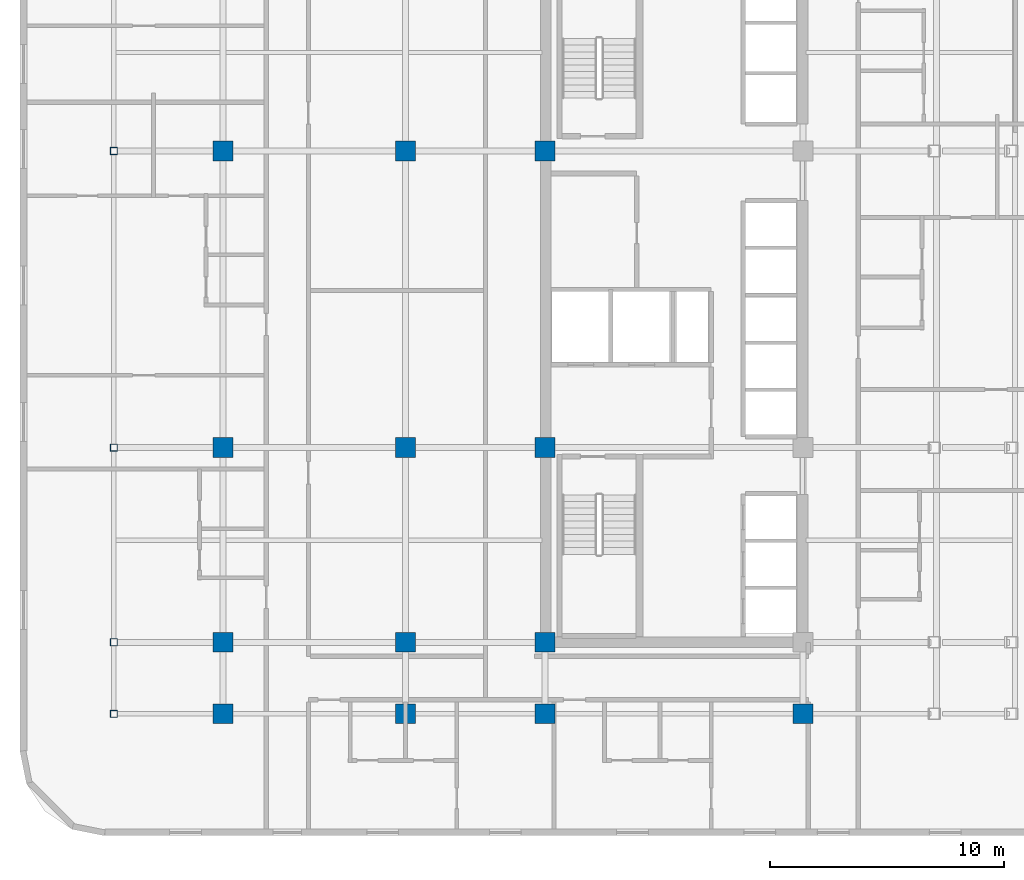
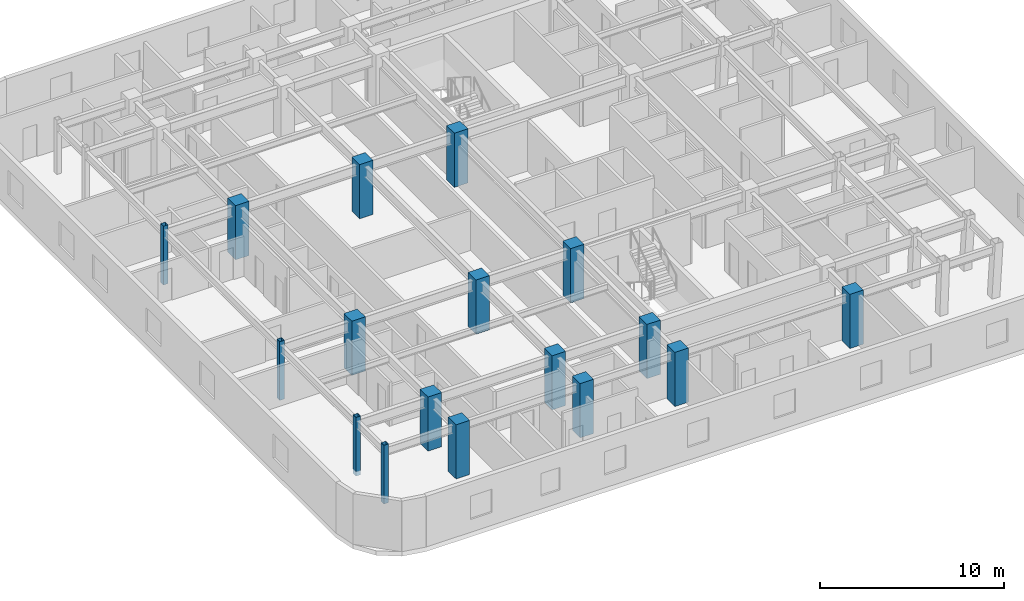
# One storey, part 1 of 12: 17 columns.
"""IFC4 building model written with IfcOpenShell, lengths in metres."""

from ifc_helpers import new_model, si_unit, direction, frame, origin, origin_2d, place, context, subcontext, project, spatial, rectangle, hollow_rectangle, extrude, material, material_profile, profile_set, type_object, element, save


model = new_model("IFC4")

# Units and contexts
model_context = context("Model", 3, precision=1e-05, world=origin(), true_north=direction((0.0, 1.0)))
body_context = subcontext(model_context, "Body", "Model", "MODEL_VIEW")
ifc_project = project(units=[si_unit("LENGTHUNIT", "METRE"), si_unit("AREAUNIT", "SQUARE_METRE"), si_unit("VOLUMEUNIT", "CUBIC_METRE"), si_unit("PLANEANGLEUNIT", "RADIAN"), si_unit("MASSUNIT", "GRAM", prefix="KILO")], contexts=[model_context])

# Site, building, storey
site_placement = place(None, origin())
site = spatial("IfcSite", under=ifc_project, at=site_placement, CompositionType="ELEMENT")
building_placement = place(site_placement, origin())
building = spatial("IfcBuilding", under=site, at=building_placement, Name="Ochreholt Gables", CompositionType="ELEMENT")
storey_placement = place(building_placement, frame((0.0, 0.0, 24.0)))
storey = spatial("IfcBuildingStorey", under=building, at=storey_placement, Name="L05", CompositionType="ELEMENT", Elevation=24.0)

# Columns
ifc_material_1 = material(Name="Steel CSA G40.21 350W", Category="steel")
ifc_material_profile_1 = material_profile(ifc_material_1, hollow_rectangle(XDim=0.304931640625, YDim=0.304931640625, WallThickness=0.0126953125, at=origin_2d()), Name="HSS305X305X13")
ifc_profile_set_1 = profile_set([ifc_material_profile_1], Name="Steel CSA G40.21 350W")
column_type_1 = type_object("IfcColumnType", Name="COL-HSS305-EXT", PredefinedType="COLUMN", material=ifc_profile_set_1)
for number, where, z_axis, x_axis, name in (
    (1, (5.800048828125, 6.199951171875, -0.300048828125), (0.0, 0.0, 1.0), (1.0, 0.0, 0.0), "L05 Column WTY1"),
    (2, (5.800048828125, 9.25, -0.300048828125), (0.0, 0.0, 1.0), (1.0, 0.0, 0.0), "L05 Column WTY2"),
    (3, (5.800048828125, 17.550048828125, -0.300048828125), (0.0, 0.0, 1.0), (1.0, 0.0, 0.0), "L05 Column WTY3"),
    (4, (5.800048828125, 30.199951171875, -0.300048828125), (0.0, 0.0, 1.0), (1.0, 0.0, 0.0), "L05 Column WTY4"),
):
    element("IfcColumn", number, at=place(storey_placement, frame(where, z_axis=z_axis, x_axis=x_axis)), inside=storey, type_object=column_type_1, Name=name, PredefinedType="COLUMN", context=body_context, shape_type="SweptSolid", body=[
        extrude(hollow_rectangle(XDim=0.304931640625, YDim=0.304931640625, WallThickness=0.0126953125, at=origin_2d()), origin(), (0.0, 0.0, 1.0), 3.900146484375),
    ])
ifc_material_2 = material(Name="Concrete 60 MPa", Category="concrete")
ifc_material_profile_2 = material_profile(ifc_material_2, rectangle(XDim=0.85009765625, YDim=0.85009765625, at=origin_2d()), Name="RC850X850")
ifc_profile_set_2 = profile_set([ifc_material_profile_2], Name="Concrete 60 MPa")
column_type_2 = type_object("IfcColumnType", Name="COL-RC850-EXT", PredefinedType="COLUMN", material=ifc_profile_set_2)
for number, where, z_axis, x_axis, name in (
    (5, (10.449951171875, 6.199951171875, 0.0), (0.0, 0.0, 1.0), (1.0, 0.0, 0.0), "L05 Column W2Y1"),
    (6, (18.25, 6.199951171875, 0.0), (0.0, 0.0, 1.0), (1.0, 0.0, 0.0), "L05 Column W3Y1"),
    (7, (24.199951171875, 6.199951171875, 0.0), (0.0, 0.0, 1.0), (1.0, 0.0, 0.0), "L05 Column C1Y1"),
    (8, (35.199951171875, 6.199951171875, 0.0), (0.0, 0.0, 1.0), (1.0, 0.0, 0.0), "L05 Column C2Y1"),
):
    element("IfcColumn", number, at=place(storey_placement, frame(where, z_axis=z_axis, x_axis=x_axis)), inside=storey, type_object=column_type_2, Name=name, PredefinedType="COLUMN", context=body_context, shape_type="SweptSolid", body=[
        extrude(rectangle(XDim=0.85009765625, YDim=0.85009765625, at=origin_2d()), origin(), (0.0, 0.0, 1.0), 3.60009765625),
    ])
ifc_material_profile_3 = material_profile(ifc_material_2, rectangle(XDim=0.85009765625, YDim=0.85009765625, at=origin_2d()), Name="RC850X850")
ifc_profile_set_3 = profile_set([ifc_material_profile_3], Name="Concrete 60 MPa")
column_type_3 = type_object("IfcColumnType", Name="COL-RC850-INT", PredefinedType="COLUMN", material=ifc_profile_set_3)
for number, where, z_axis, x_axis, name in (
    (9, (10.449951171875, 9.25, 0.0), (0.0, 0.0, 1.0), (1.0, 0.0, 0.0), "L05 Column W2Y2"),
    (10, (10.449951171875, 17.550048828125, 0.0), (0.0, 0.0, 1.0), (1.0, 0.0, 0.0), "L05 Column W2Y3"),
    (11, (10.449951171875, 30.199951171875, 0.0), (0.0, 0.0, 1.0), (1.0, 0.0, 0.0), "L05 Column W2Y4"),
    (12, (18.25, 9.25, 0.0), (0.0, 0.0, 1.0), (1.0, 0.0, 0.0), "L05 Column W3Y2"),
    (13, (18.25, 17.550048828125, 0.0), (0.0, 0.0, 1.0), (1.0, 0.0, 0.0), "L05 Column W3Y3"),
    (14, (18.25, 30.199951171875, 0.0), (0.0, 0.0, 1.0), (1.0, 0.0, 0.0), "L05 Column W3Y4"),
    (15, (24.199951171875, 9.25, 0.0), (0.0, 0.0, 1.0), (1.0, 0.0, 0.0), "L05 Column C1Y2"),
    (16, (24.199951171875, 17.550048828125, 0.0), (0.0, 0.0, 1.0), (1.0, 0.0, 0.0), "L05 Column C1Y3"),
    (17, (24.199951171875, 30.199951171875, 0.0), (0.0, 0.0, 1.0), (1.0, 0.0, 0.0), "L05 Column C1Y4"),
):
    element("IfcColumn", number, at=place(storey_placement, frame(where, z_axis=z_axis, x_axis=x_axis)), inside=storey, type_object=column_type_3, Name=name, PredefinedType="COLUMN", context=body_context, shape_type="SweptSolid", body=[
        extrude(rectangle(XDim=0.85009765625, YDim=0.85009765625, at=origin_2d()), origin(), (0.0, 0.0, 1.0), 3.60009765625),
    ])

save(model, "model.ifc")
